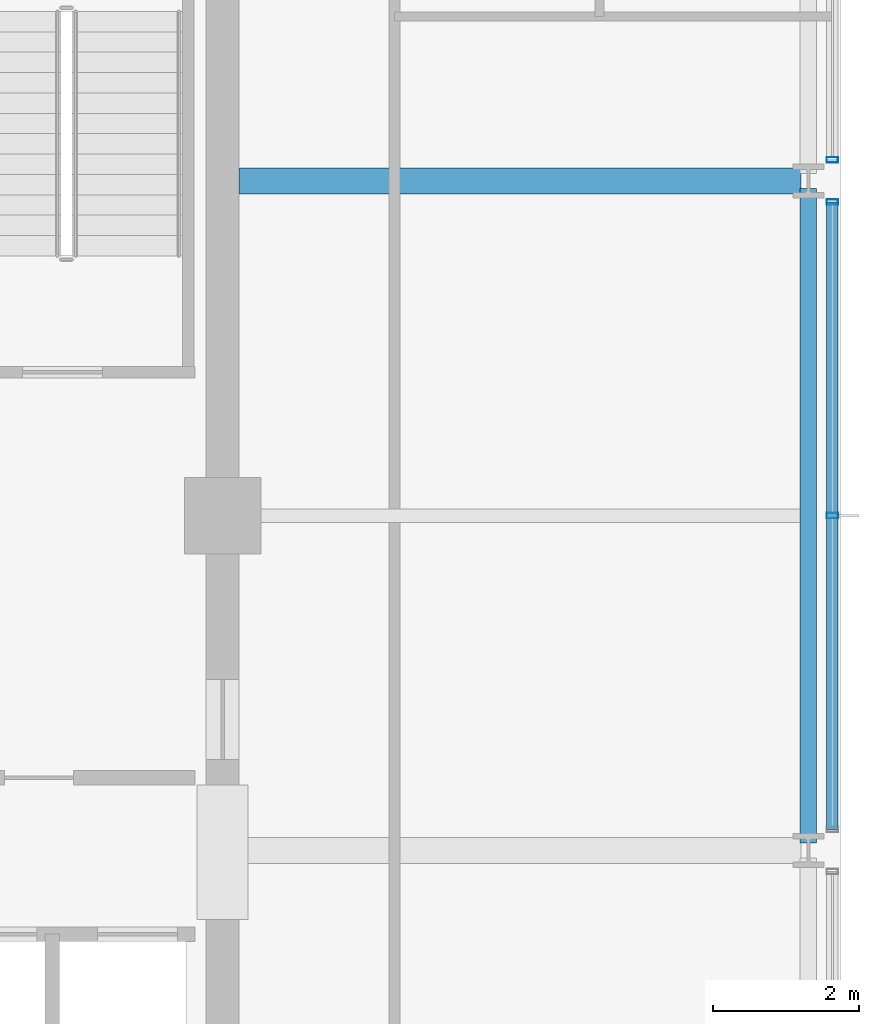
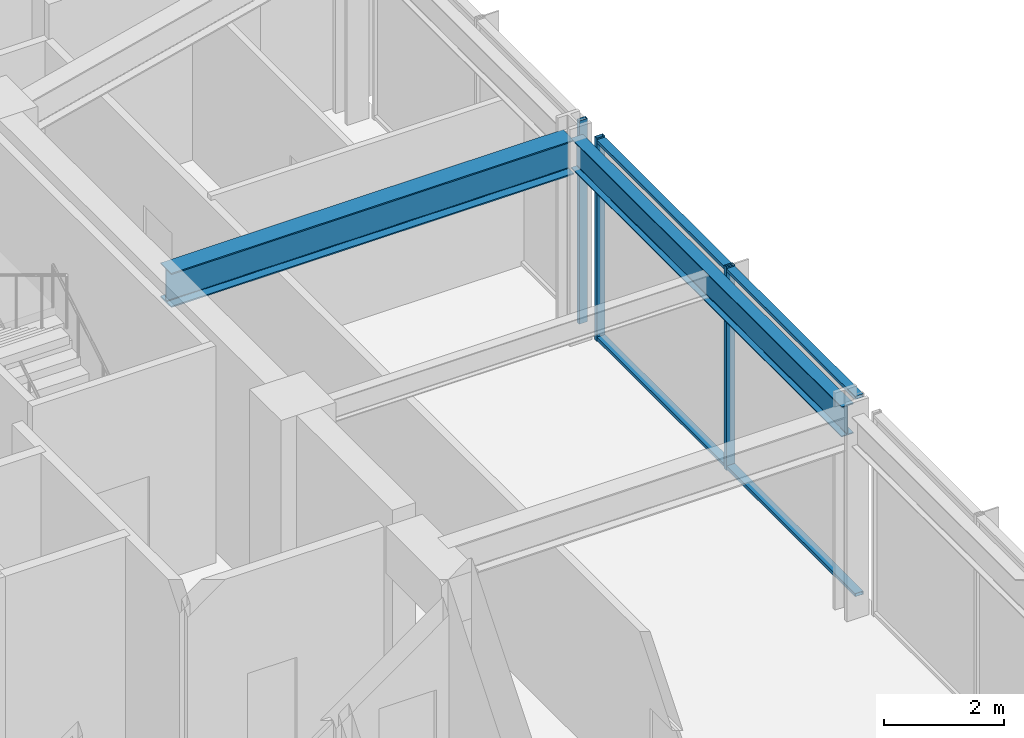
# One storey, part 12 of 26: 5 members, 2 beams, 2 elements without a shape of their own.
"""IFC4 building model written with IfcOpenShell, lengths in metres."""

import ifcopenshell
import ifcopenshell.guid

model = None  # the IFC model being written
_history = None  # IfcOwnerHistory: only IFC2X3 demands one
_inside = {}  # id of a spatial element -> (the spatial element, [elements in it])
_under = {}  # id of a project, library or spatial element -> (it, [spatial elements below it])
_declared = {}  # id of a project -> (the project, [libraries it declares])
_typed = {}  # id of a type object -> (the type object, [elements of that type])
_made_of = {}  # id of a material, layer set ... -> (it, [elements and type objects made of it])


def new_model(schema):
    """Start an empty IFC model of exactly this schema.

    Asked for "IFC4X3", IfcOpenShell would pick the latest addendum, in which some entities
    have other attributes; the version numbers below select the first issue.
    IFC2X3 requires an IfcOwnerHistory on every rooted entity: one is made here for all.
    """
    global model, _history
    if schema == "IFC4X3":
        model = ifcopenshell.file(schema_version=(4, 3, 0, 0))
    else:
        model = ifcopenshell.file(schema=schema)
    _inside.clear()
    _under.clear()
    _declared.clear()
    _typed.clear()
    _made_of.clear()
    _history = None
    if model.schema == "IFC2X3":
        org = make("IfcOrganization", Name="unknown")
        user = make(
            "IfcPersonAndOrganization",
            ThePerson=make("IfcPerson", FamilyName="unknown"),
            TheOrganization=org,
        )
        app = make(
            "IfcApplication",
            ApplicationDeveloper=org,
            Version="unknown",
            ApplicationFullName="unknown",
            ApplicationIdentifier="unknown",
        )
        _history = make(
            "IfcOwnerHistory",
            OwningUser=user,
            OwningApplication=app,
            ChangeAction="ADDED",
            CreationDate=0,
        )
    return model


def make(cls, **values):
    """One entity of the class cls with the attributes given. An attribute that is None is left unset."""
    return model.create_entity(
        cls, **{name: value for name, value in values.items() if value is not None}
    )


def rooted(cls, **values):
    """An entity with a GlobalId (a new one), such as an element, a storey or a relation."""
    return make(cls, GlobalId=ifcopenshell.guid.new(), OwnerHistory=_history, **values)


def si_unit(unit_type, name, prefix=None):
    """IfcSIUnit, for example si_unit("LENGTHUNIT", "METRE", prefix="MILLI")."""
    return make("IfcSIUnit", UnitType=unit_type, Prefix=prefix, Name=name)


def assignment(units):
    """IfcUnitAssignment: the units of a project."""
    return None if units is None else make("IfcUnitAssignment", Units=units)


def point(xyz):
    """IfcCartesianPoint."""
    return None if xyz is None else make("IfcCartesianPoint", Coordinates=xyz)


def direction(xyz):
    """IfcDirection."""
    return None if xyz is None else make("IfcDirection", DirectionRatios=xyz)


def frame(location, z_axis=None, x_axis=None):
    """IfcAxis2Placement3D, a coordinate frame: its origin and axes. An axis left out is left unset."""
    return make(
        "IfcAxis2Placement3D",
        Location=point(location),
        Axis=direction(z_axis),
        RefDirection=direction(x_axis),
    )


def frame_2d(location, x_axis=None):
    """IfcAxis2Placement2D, a coordinate frame in the plane: its origin and x axis."""
    return make(
        "IfcAxis2Placement2D", Location=point(location), RefDirection=direction(x_axis)
    )


def origin():
    """The frame at (0, 0, 0) with its axes left unset."""
    return frame((0.0, 0.0, 0.0))


def origin_2d():
    """The frame at (0, 0) in the plane with its x axis left unset."""
    return frame_2d((0.0, 0.0))


def place(relative_to, where):
    """IfcLocalPlacement: puts the frame where relative to a parent placement (None: the world)."""
    return make(
        "IfcLocalPlacement", PlacementRelTo=relative_to, RelativePlacement=where
    )


def context(
    kind, dimensions, precision=None, world=None, true_north=None, identifier=None
):
    """IfcGeometricRepresentationContext, for example the 3D "Model" context."""
    return make(
        "IfcGeometricRepresentationContext",
        ContextIdentifier=identifier,
        ContextType=kind,
        CoordinateSpaceDimension=dimensions,
        Precision=precision,
        WorldCoordinateSystem=world,
        TrueNorth=true_north,
    )


def subcontext(parent, identifier, kind, view, scale=None):
    """IfcGeometricRepresentationSubContext, for example "Body" below "Model"."""
    return make(
        "IfcGeometricRepresentationSubContext",
        ContextIdentifier=identifier,
        ContextType=kind,
        ParentContext=parent,
        TargetScale=scale,
        TargetView=view,
    )


def project(units=None, contexts=None):
    """IfcProject with its units and contexts."""
    return rooted(
        "IfcProject",
        Name="project",
        RepresentationContexts=contexts,
        UnitsInContext=assignment(units),
    )


def spatial(cls, under=None, at=None, **own):
    """A site, building, storey or space (cls), placed at a placement, below another one or the project."""
    s = rooted(cls, ObjectPlacement=at, **own)
    if under is not None:
        _under.setdefault(under.id(), (under, []))[1].append(s)
    return s


def profile(cls, at=None, kind="AREA", **sizes):
    """A parametric profile (cls). Its sizes go by their IFC names, for example OverallWidth=200.0."""
    return make(cls, ProfileType=kind, Position=at, **sizes)


def hollow_rectangle(**sizes):
    """IfcRectangleHollowProfileDef."""
    return profile("IfcRectangleHollowProfileDef", **sizes)


def i_section(**sizes):
    """IfcIShapeProfileDef."""
    return profile("IfcIShapeProfileDef", **sizes)


def extrude(swept, where, along, depth):
    """IfcExtrudedAreaSolid: the profile swept, set in the frame where, extruded along a direction by depth."""
    return make(
        "IfcExtrudedAreaSolid",
        SweptArea=swept,
        Position=where,
        ExtrudedDirection=direction(along),
        Depth=depth,
    )


def shape(context_of_items, identifier, shape_type, items):
    """IfcShapeRepresentation: the items that make up one representation, for example the "Body"."""
    return make(
        "IfcShapeRepresentation",
        ContextOfItems=context_of_items,
        RepresentationIdentifier=identifier,
        RepresentationType=shape_type,
        Items=items,
    )


def material(Name=None, Category=None):
    """IfcMaterial."""
    return make("IfcMaterial", Name=Name, Category=Category)


def material_profile(
    of_material, cross_section, Name=None, Category=None, Priority=None
):
    """IfcMaterialProfile: a cross section and its material."""
    return make(
        "IfcMaterialProfile",
        Name=Name,
        Material=of_material,
        Profile=cross_section,
        Priority=Priority,
        Category=Category,
    )


def profile_set(profiles, Name=None, composite=None):
    """IfcMaterialProfileSet."""
    return make(
        "IfcMaterialProfileSet",
        Name=Name,
        MaterialProfiles=profiles,
        CompositeProfile=composite,
    )


def made_of(thing, what):
    """Note that an element or type object is made of a material, layer set ...; save() writes the relation."""
    if what is not None:
        _made_of.setdefault(what.id(), (what, []))[1].append(thing)
    return thing


def type_object(cls, material=None, **own):
    """A type object (cls), such as IfcWallType, which elements share."""
    return made_of(rooted(cls, **own), material)


def element(
    cls,
    number,
    at=None,
    inside=None,
    cuts=None,
    type_object=None,
    material=None,
    context=None,
    identifier="Body",
    shape_type=None,
    held_by="IfcProductDefinitionShape",
    body=None,
    shapes=None,
    **own,
):
    """One element of the class cls, such as IfcWall. Its Tag is "e" and its number.

    at: its placement. inside: the storey or other place that contains it. cuts: it is an
    opening in that element (IfcRelVoidsElement). A single representation is given by context,
    identifier, shape_type and body (its items); several are given by shapes. held_by: the class
    of the entity that holds the representations. save() writes the other relations.
    """
    e = rooted(cls, Tag="e%d" % number, ObjectPlacement=at, **own)
    if body is not None:
        shapes = [shape(context, identifier, shape_type, body)]
    if shapes is not None:
        e.Representation = make(held_by, Representations=shapes)
    if inside is not None:
        _inside.setdefault(inside.id(), (inside, []))[1].append(e)
    if cuts is not None:
        rooted(
            "IfcRelVoidsElement", RelatingBuildingElement=cuts, RelatedOpeningElement=e
        )
    if type_object is not None:
        _typed.setdefault(type_object.id(), (type_object, []))[1].append(e)
    return made_of(e, material)


def aggregate(whole, parts):
    """IfcRelAggregates: a whole, such as a stair, and the parts it consists of."""
    return rooted("IfcRelAggregates", RelatingObject=whole, RelatedObjects=parts)


def save(model, path):
    """Write the relations noted so far, then the file.

    IfcRelAggregates (storeys below a building ...), IfcRelContainedInSpatialStructure (elements
    in a storey), IfcRelDefinesByType, IfcRelAssociatesMaterial and IfcRelDeclares: one each for
    every whole, place, type object, material and project.
    """
    for whole, parts in _under.values():
        aggregate(whole, parts)
    for where, things in _inside.values():
        rooted(
            "IfcRelContainedInSpatialStructure",
            RelatedElements=things,
            RelatingStructure=where,
        )
    for kind, things in _typed.values():
        rooted("IfcRelDefinesByType", RelatedObjects=things, RelatingType=kind)
    for what, things in _made_of.values():
        rooted("IfcRelAssociatesMaterial", RelatedObjects=things, RelatingMaterial=what)
    for by, libraries in _declared.values():
        rooted("IfcRelDeclares", RelatingContext=by, RelatedDefinitions=libraries)
    model.write(path)


model = new_model("IFC4")

# Units and contexts
model_context = context("Model", 3, precision=1e-05, world=origin(), true_north=direction((0.0, 1.0)))
body_context = subcontext(model_context, "Body", "Model", "MODEL_VIEW")
ifc_project = project(units=[si_unit("LENGTHUNIT", "METRE"), si_unit("AREAUNIT", "SQUARE_METRE"), si_unit("VOLUMEUNIT", "CUBIC_METRE"), si_unit("PLANEANGLEUNIT", "RADIAN"), si_unit("MASSUNIT", "GRAM", prefix="KILO")], contexts=[model_context])

# Site, building, storey
site_placement = place(None, origin())
site = spatial("IfcSite", under=ifc_project, at=site_placement, CompositionType="ELEMENT")
building_placement = place(site_placement, origin())
building = spatial("IfcBuilding", under=site, at=building_placement, Name="Kolvaren Belvedere", CompositionType="ELEMENT")
storey_placement = place(building_placement, frame((0.0, 0.0, 258.39990234375)))
storey = spatial("IfcBuildingStorey", under=building, at=storey_placement, Name="L75", CompositionType="ELEMENT", Elevation=258.39990234375)

# Beams
ifc_material_1 = material(Name="Structural steel ASTM A992 Grade 50", Category="steel")
ifc_material_profile_1 = material_profile(ifc_material_1, i_section(OverallWidth=0.35498046875, OverallDepth=0.696044921875, WebThickness=0.015380859375, FlangeThickness=0.02490234375, FilletRadius=0.02197265625, at=origin_2d()), Name="W27X146")
ifc_profile_set_1 = profile_set([ifc_material_profile_1], Name="Structural steel ASTM A992 Grade 50")
beam_type_1 = type_object("IfcBeamType", Name="BM-GIRD-W27X146", PredefinedType="BEAM", material=ifc_profile_set_1)
beam_1_placement = place(storey_placement, frame((10.125, 4.60009765625, 3.772216796875), z_axis=(1.0, 0.0, 0.0), x_axis=(0.0, 1.0, 0.0)))
element("IfcBeam", 1, at=beam_1_placement, inside=storey, type_object=beam_type_1, Name="L75 East Radial Girder P", PredefinedType="BEAM", context=body_context, shape_type="SweptSolid", body=[
    extrude(i_section(OverallWidth=0.35498046875, OverallDepth=0.696044921875, WebThickness=0.015380859375, FlangeThickness=0.02490234375, FilletRadius=0.02197265625, at=origin_2d()), origin(), (0.0, 0.0, 1.0), 7.720458984375),
])
ifc_material_2 = material(Name="Structural steel ASTM A992 Grade 50", Category="steel")
ifc_material_profile_2 = material_profile(ifc_material_2, i_section(OverallWidth=0.22900390625, OverallDepth=0.612060546875, WebThickness=0.011962890625, FlangeThickness=0.01953125, FilletRadius=0.01806640625, at=origin_2d()), Name="W24X84")
ifc_profile_set_2 = profile_set([ifc_material_profile_2], Name="Structural steel ASTM A992 Grade 50")
beam_type_2 = type_object("IfcBeamType", Name="BM-SPAN-W24X84", PredefinedType="SPANDREL", material=ifc_profile_set_2)
beam_2_placement = place(storey_placement, frame((17.949951171875, -4.495361328125, 3.814208984375), z_axis=(0.0, 1.0, 0.0), x_axis=(-1.0, 0.0, 0.0)))
element("IfcBeam", 2, at=beam_2_placement, inside=storey, type_object=beam_type_2, Name="L75 Perimeter Spandrel E2-E3", PredefinedType="SPANDREL", context=body_context, shape_type="SweptSolid", body=[
    extrude(i_section(OverallWidth=0.22900390625, OverallDepth=0.612060546875, WebThickness=0.011962890625, FlangeThickness=0.01953125, FilletRadius=0.01806640625, at=origin_2d()), origin(), (0.0, 0.0, 1.0), 8.99072265625),
])

# Curtain wall, member
ifc_material_3 = material(Name="Anodised pale-metal aluminium AA 6063-T6", Category="aluminium")
curtain_wall_type = type_object("IfcCurtainWallType", Name="CW-CRN-OBS", PredefinedType="NOTDEFINED", material=ifc_material_3)
curtain_wall_1_placement = place(storey_placement, origin())
curtain_wall_1 = element("IfcCurtainWall", 3, at=curtain_wall_1_placement, inside=storey, type_object=curtain_wall_type, Name="L75 Unitised Curtain Wall FCW-L75-E-B1", PredefinedType="NOTDEFINED")
ifc_material_4 = material(Name="Anodised pale-metal aluminium AA 6063-T6", Category="aluminium")
ifc_material_profile_3 = material_profile(ifc_material_4, hollow_rectangle(XDim=0.074951171875, YDim=0.159912109375, WallThickness=0.00439453125, at=origin_2d()), Name="ALU-MUL-160X75")
ifc_profile_set_3 = profile_set([ifc_material_profile_3], Name="Anodised pale-metal aluminium AA 6063-T6")
member_type_1 = type_object("IfcMemberType", Name="CW-MUL-160", PredefinedType="MULLION", material=ifc_profile_set_3)
member_1_placement = place(storey_placement, frame((18.280029296875, 4.889892578125, 0.0), z_axis=(0.0, 0.0, 1.0), x_axis=(0.0, 1.0, 0.0)))
member_1 = element("IfcMember", 4, at=member_1_placement, type_object=member_type_1, Name="FCW-L75-E-B1 Unitised Mullion 3", PredefinedType="MULLION", context=body_context, shape_type="SweptSolid", body=[
    extrude(hollow_rectangle(XDim=0.074951171875, YDim=0.159912109375, WallThickness=0.00439453125, at=origin_2d()), origin(), (0.0, 0.0, 1.0), 4.1201171875),
])
aggregate(curtain_wall_1, [member_1])

# Curtain wall, members
curtain_wall_2_placement = place(storey_placement, origin())
curtain_wall_2 = element("IfcCurtainWall", 5, at=curtain_wall_2_placement, inside=storey, type_object=curtain_wall_type, Name="L75 Unitised Curtain Wall FCW-L75-E-B2", PredefinedType="NOTDEFINED")
member_2_placement = place(storey_placement, frame((18.280029296875, 4.31005859375, 0.0), z_axis=(0.0, 0.0, 1.0), x_axis=(0.0, 1.0, 0.0)))
member_2 = element("IfcMember", 6, at=member_2_placement, type_object=member_type_1, Name="FCW-L75-E-B2 Unitised Mullion 1", PredefinedType="MULLION", context=body_context, shape_type="SweptSolid", body=[
    extrude(hollow_rectangle(XDim=0.074951171875, YDim=0.159912109375, WallThickness=0.00439453125, at=origin_2d()), origin(), (0.0, 0.0, 1.0), 4.1201171875),
])
member_3_placement = place(storey_placement, frame((18.280029296875, 0.0, 0.0), z_axis=(0.0, 0.0, 1.0), x_axis=(0.0, 1.0, 0.0)))
member_3 = element("IfcMember", 7, at=member_3_placement, type_object=member_type_1, Name="FCW-L75-E-B2 Unitised Mullion 2", PredefinedType="MULLION", context=body_context, shape_type="SweptSolid", body=[
    extrude(hollow_rectangle(XDim=0.074951171875, YDim=0.159912109375, WallThickness=0.00439453125, at=origin_2d()), origin(), (0.0, 0.0, 1.0), 4.1201171875),
])
ifc_material_5 = material(Name="Anodised pale-metal aluminium AA 6063-T6", Category="aluminium")
ifc_material_profile_4 = material_profile(ifc_material_5, hollow_rectangle(XDim=0.06494140625, YDim=0.159912109375, WallThickness=0.00390625, at=origin_2d()), Name="ALU-TRN-160X65")
ifc_profile_set_4 = profile_set([ifc_material_profile_4], Name="Anodised pale-metal aluminium AA 6063-T6")
member_type_2 = type_object("IfcMemberType", Name="CW-TRN-160", PredefinedType="USERDEFINED", material=ifc_profile_set_4)
member_4_placement = place(storey_placement, frame((18.280029296875, 4.31005859375, 0.06005859375), z_axis=(0.0, -1.0, 0.0), x_axis=(0.0, 0.0, 1.0)))
member_4 = element("IfcMember", 8, at=member_4_placement, type_object=member_type_2, Name="FCW-L75-E-B2 Sill Transom", ObjectType="TRANSOM", PredefinedType="USERDEFINED", context=body_context, shape_type="SweptSolid", body=[
    extrude(hollow_rectangle(XDim=0.06494140625, YDim=0.159912109375, WallThickness=0.00390625, at=origin_2d()), origin(), (0.0, 0.0, 1.0), 8.6201171875),
])
member_5_placement = place(storey_placement, frame((18.280029296875, 4.31005859375, 4.06005859375), z_axis=(0.0, -1.0, 0.0), x_axis=(0.0, 0.0, 1.0)))
member_5 = element("IfcMember", 9, at=member_5_placement, type_object=member_type_2, Name="FCW-L75-E-B2 Head Transom", ObjectType="TRANSOM", PredefinedType="USERDEFINED", context=body_context, shape_type="SweptSolid", body=[
    extrude(hollow_rectangle(XDim=0.06494140625, YDim=0.159912109375, WallThickness=0.00390625, at=origin_2d()), origin(), (0.0, 0.0, 1.0), 8.6201171875),
])
aggregate(curtain_wall_2, [member_2, member_3, member_4, member_5])

save(model, "model.ifc")
